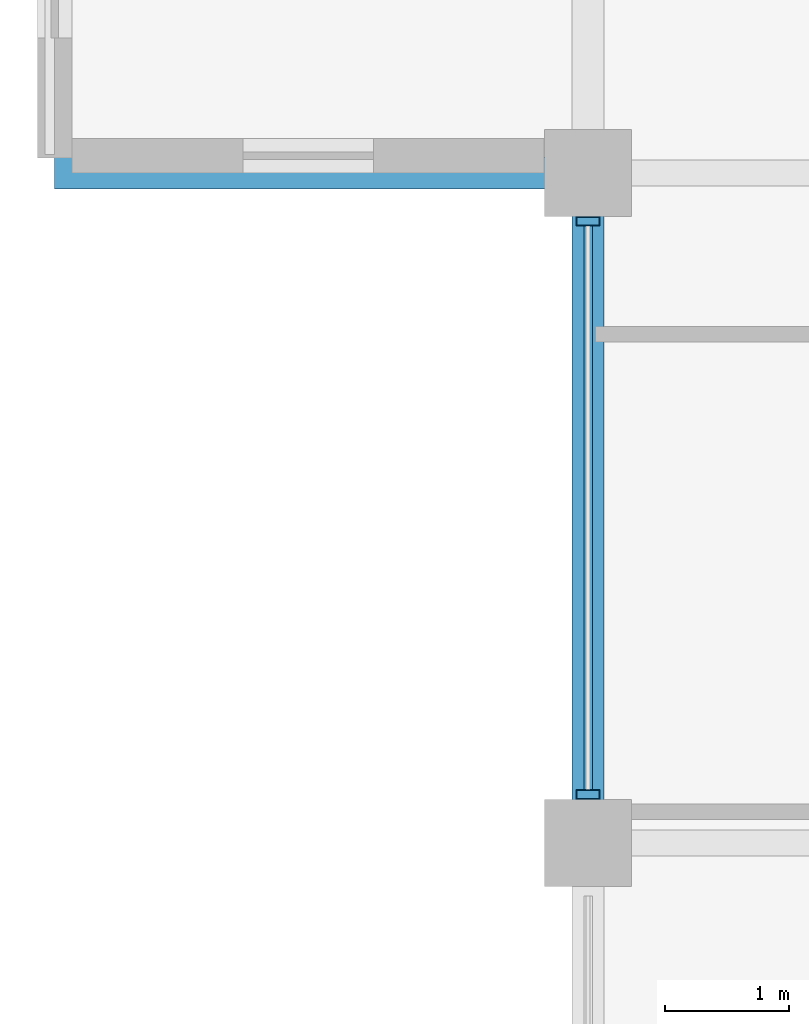
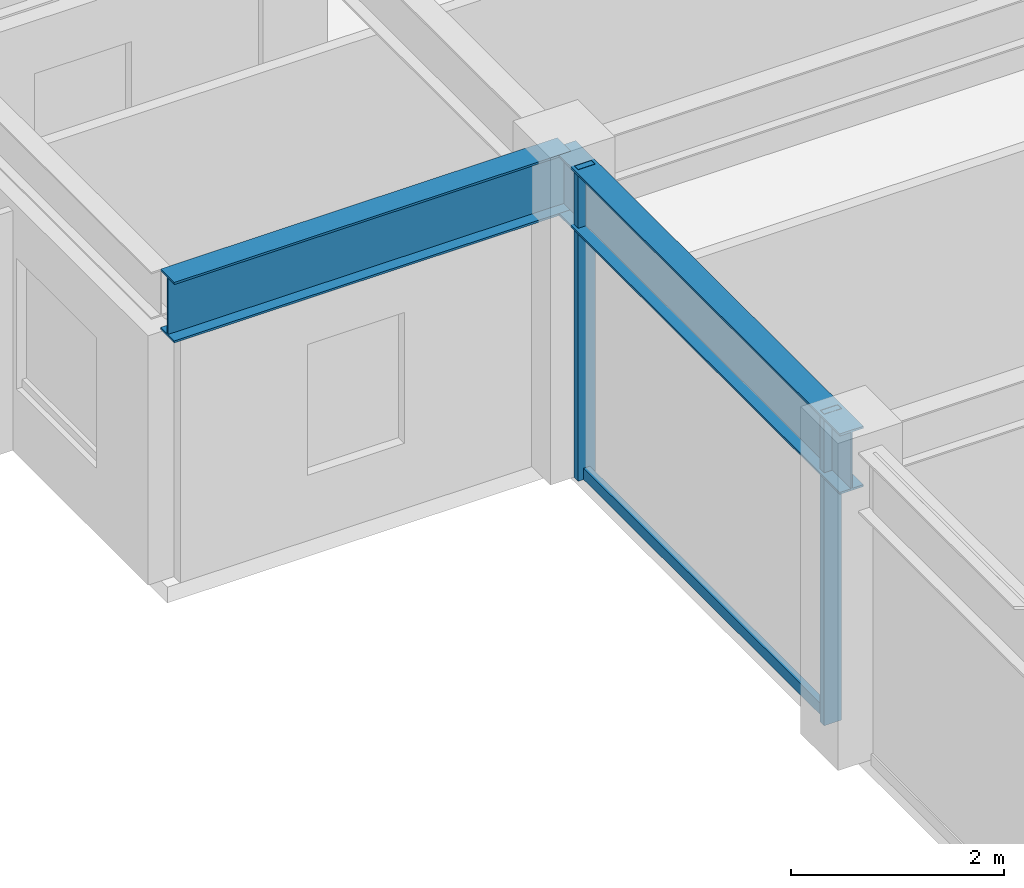
# One storey, part 5 of 31: 3 members, 2 beams, 1 element without a shape of its own.
"""IFC4 building model written with IfcOpenShell, lengths in metres."""

from ifc_helpers import new_model, si_unit, direction, frame, origin, origin_2d, place, context, subcontext, project, spatial, hollow_rectangle, i_section, extrude, material, layer, layer_set, material_profile, profile_set, type_object, element, aggregate, save


model = new_model("IFC4")

# Units and contexts
model_context = context("Model", 3, precision=1e-05, world=origin(), true_north=direction((0.0, 1.0)))
body_context = subcontext(model_context, "Body", "Model", "MODEL_VIEW")
ifc_project = project(units=[si_unit("LENGTHUNIT", "METRE"), si_unit("AREAUNIT", "SQUARE_METRE"), si_unit("VOLUMEUNIT", "CUBIC_METRE"), si_unit("PLANEANGLEUNIT", "RADIAN"), si_unit("MASSUNIT", "GRAM", prefix="KILO")], contexts=[model_context])

# Site, building, storey
site_placement = place(None, origin())
site = spatial("IfcSite", under=ifc_project, at=site_placement, CompositionType="ELEMENT")
building_placement = place(site_placement, origin())
building = spatial("IfcBuilding", under=site, at=building_placement, Name="Surkhivell Harbour Commons", CompositionType="ELEMENT")
storey_placement = place(building_placement, frame((0.0, 0.0, 318.75)))
storey = spatial("IfcBuildingStorey", under=building, at=storey_placement, Name="L83", CompositionType="ELEMENT", Elevation=318.75)

# Beams
ifc_material_1 = material(Name="Steel S460", Category="steel")
ifc_material_profile_1 = material_profile(ifc_material_1, i_section(OverallWidth=0.256103515625, OverallDepth=0.693115234375, WebThickness=0.014404296875, FlangeThickness=0.023681640625, at=origin_2d()), Name="UB686x254x170")
ifc_profile_set_1 = profile_set([ifc_material_profile_1], Name="Steel S460")
beam_type_1 = type_object("IfcBeamType", Name="BM-CNT-686", PredefinedType="BEAM", material=ifc_profile_set_1)
beam_1_placement = place(storey_placement, frame((-27.0, 0.0, 3.223388671875), z_axis=(-1.0, 0.0, 0.0), x_axis=(0.0, -1.0, 0.0)))
element("IfcBeam", 1, at=beam_1_placement, inside=storey, type_object=beam_type_1, Name="L83 Box Cantilever Outrigger (-27.0,0.0)", PredefinedType="BEAM", context=body_context, shape_type="SweptSolid", body=[
    extrude(i_section(OverallWidth=0.256103515625, OverallDepth=0.693115234375, WebThickness=0.014404296875, FlangeThickness=0.023681640625, at=origin_2d()), origin(), (0.0, 0.0, 1.0), 4.300048828125),
])
ifc_material_2 = material(Name="Steel S355", Category="steel")
ifc_material_profile_2 = material_profile(ifc_material_2, i_section(OverallWidth=0.256103515625, OverallDepth=0.693115234375, WebThickness=0.014404296875, FlangeThickness=0.023681640625, at=origin_2d()), Name="UB686x254x170")
ifc_profile_set_2 = profile_set([ifc_material_profile_2], Name="Steel S355")
beam_type_2 = type_object("IfcBeamType", Name="BM-SPN-686", PredefinedType="SPANDREL", material=ifc_profile_set_2)
beam_2_placement = place(storey_placement, frame((-27.0, -5.39990234375, 3.223388671875), z_axis=(0.0, 1.0, 0.0), x_axis=(-1.0, 0.0, 0.0)))
element("IfcBeam", 2, at=beam_2_placement, inside=storey, type_object=beam_type_2, Name="L83 Tube Spandrel (-27.0,-5.4)", PredefinedType="SPANDREL", context=body_context, shape_type="SweptSolid", body=[
    extrude(i_section(OverallWidth=0.256103515625, OverallDepth=0.693115234375, WebThickness=0.014404296875, FlangeThickness=0.023681640625, at=origin_2d()), origin(), (0.0, 0.0, 1.0), 5.39990234375),
])

# Curtain wall, members
ifc_material_3 = material(Name="Anodised pale-metal aluminium and insulated glazing", Category="aluminium")
ifc_layer = layer(ifc_material_3, 0.175048828125)
ifc_layer_set = layer_set([ifc_layer], Name="Anodised pale-metal aluminium and insulated glazing")
curtain_wall_type = type_object("IfcCurtainWallType", Name="CW-SYS-Z4", PredefinedType="NOTDEFINED", material=ifc_layer_set)
curtain_wall_placement = place(storey_placement, origin())
curtain_wall = element("IfcCurtainWall", 3, at=curtain_wall_placement, inside=storey, type_object=curtain_wall_type, Name="L83 Curtain Wall CW-L83-E12R1S1", PredefinedType="NOTDEFINED")
ifc_material_4 = material(Name="Anodised pale-metal aluminium alloy 6063-T6", Category="aluminium")
ifc_material_profile_3 = material_profile(ifc_material_4, hollow_rectangle(XDim=0.074951171875, YDim=0.18994140625, WallThickness=0.00390625, at=origin_2d()), Name="ALU-MULL-75x190")
ifc_profile_set_3 = profile_set([ifc_material_profile_3], Name="Anodised pale-metal aluminium alloy 6063-T6")
member_type_1 = type_object("IfcMemberType", Name="CWM-190", PredefinedType="MULLION", material=ifc_profile_set_3)
member_1_placement = place(storey_placement, frame((-27.0, -5.010498046875, 0.0), z_axis=(0.0, 0.0, 1.0), x_axis=(0.0, 1.0, 0.0)))
member_1 = element("IfcMember", 4, at=member_1_placement, type_object=member_type_1, Name="CW-Z4 mullion 2", PredefinedType="MULLION", context=body_context, shape_type="SweptSolid", body=[
    extrude(hollow_rectangle(XDim=0.074951171875, YDim=0.18994140625, WallThickness=0.00390625, at=origin_2d()), origin(), (0.0, 0.0, 1.0), 3.570068359375),
])
member_2_placement = place(storey_placement, frame((-27.0, -0.389404296875, 0.0), z_axis=(0.0, 0.0, 1.0), x_axis=(0.0, 1.0, 0.0)))
member_2 = element("IfcMember", 5, at=member_2_placement, type_object=member_type_1, Name="CW-Z4 mullion 3", PredefinedType="MULLION", context=body_context, shape_type="SweptSolid", body=[
    extrude(hollow_rectangle(XDim=0.074951171875, YDim=0.18994140625, WallThickness=0.00390625, at=origin_2d()), origin(), (0.0, 0.0, 1.0), 3.570068359375),
])
ifc_material_5 = material(Name="Champagne anodised aluminium alloy 6063-T6", Category="aluminium")
ifc_material_profile_4 = material_profile(ifc_material_5, hollow_rectangle(XDim=0.070068359375, YDim=0.1298828125, WallThickness=0.00341796875, at=origin_2d()), Name="ALU-TRAN-70x130")
ifc_profile_set_4 = profile_set([ifc_material_profile_4], Name="Champagne anodised aluminium alloy 6063-T6")
member_type_2 = type_object("IfcMemberType", Name="CWT-130", PredefinedType="USERDEFINED", material=ifc_profile_set_4)
member_3_placement = place(storey_placement, frame((-27.0, -4.972900390625, 0.06494140625), z_axis=(0.0, 1.0, 0.0), x_axis=(-1.0, 0.0, 0.0)))
member_3 = element("IfcMember", 6, at=member_3_placement, type_object=member_type_2, Name="CW-Z4 transom 2.1", ObjectType="TRANSOM", PredefinedType="USERDEFINED", context=body_context, shape_type="SweptSolid", body=[
    extrude(hollow_rectangle(XDim=0.070068359375, YDim=0.1298828125, WallThickness=0.00341796875, at=origin_2d()), origin(), (0.0, 0.0, 1.0), 4.5458984375),
])
aggregate(curtain_wall, [member_1, member_2, member_3])

save(model, "model.ifc")
